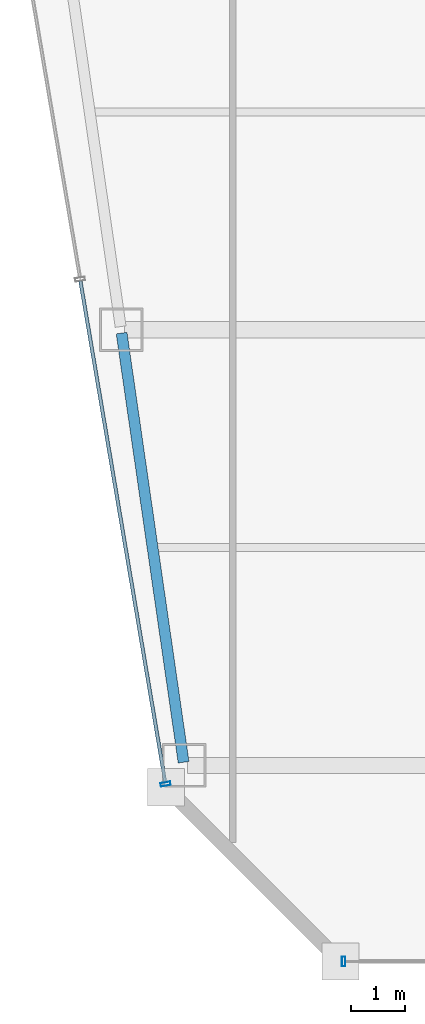
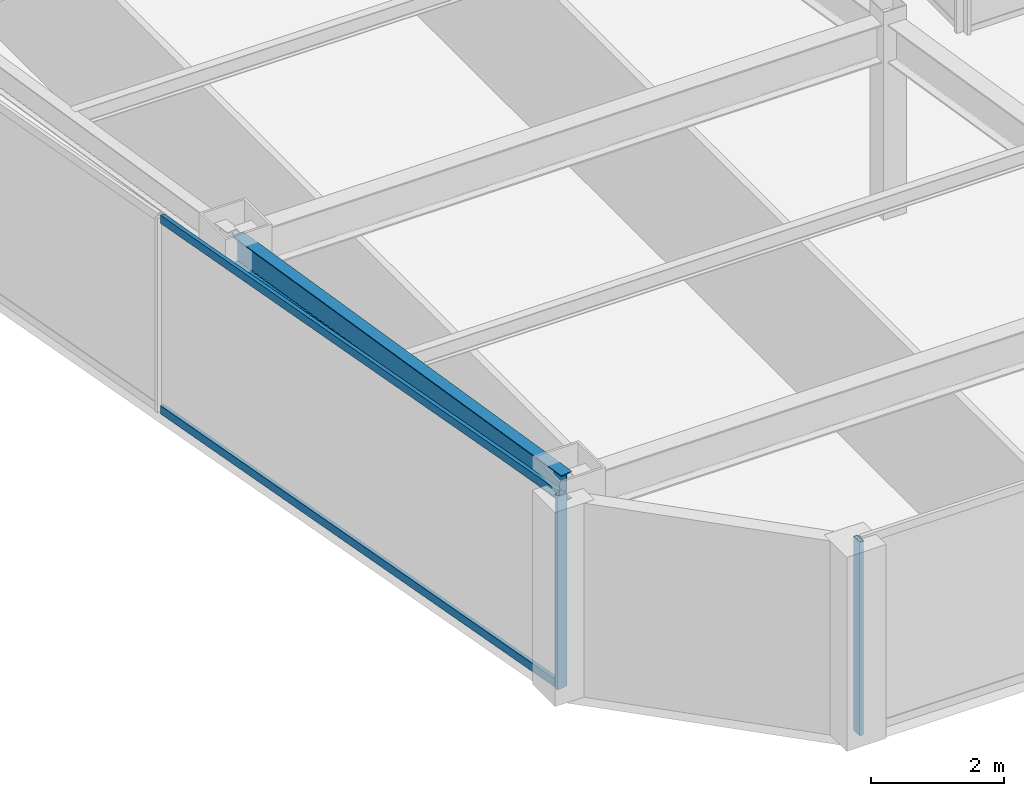
# One storey, part 3 of 36: 4 members, 1 beam, 2 elements without a shape of their own.
"""IFC4 building model written with IfcOpenShell, lengths in metres."""

from ifc_helpers import new_model, si_unit, direction, frame, origin, origin_2d, place, context, subcontext, project, spatial, hollow_rectangle, i_section, extrude, material, material_profile, profile_set, type_object, element, aggregate, save


model = new_model("IFC4")

# Units and contexts
model_context = context("Model", 3, precision=1e-05, world=origin(), true_north=direction((0.0, 1.0)))
body_context = subcontext(model_context, "Body", "Model", "MODEL_VIEW")
ifc_project = project(units=[si_unit("LENGTHUNIT", "METRE"), si_unit("AREAUNIT", "SQUARE_METRE"), si_unit("VOLUMEUNIT", "CUBIC_METRE"), si_unit("PLANEANGLEUNIT", "RADIAN"), si_unit("MASSUNIT", "GRAM", prefix="KILO")], contexts=[model_context])

# Site, building, storey
site_placement = place(None, origin())
site = spatial("IfcSite", under=ifc_project, at=site_placement, CompositionType="ELEMENT")
building_placement = place(site_placement, origin())
building = spatial("IfcBuilding", under=site, at=building_placement, Name="Saevonmaru Cultural Tower", CompositionType="ELEMENT")
storey_placement = place(building_placement, frame((0.0, 0.0, 205.60009765625)))
storey = spatial("IfcBuildingStorey", under=building, at=storey_placement, Name="L47", CompositionType="ELEMENT", Elevation=205.60009765625)

# Beam
ifc_material_1 = material(Name="Steel SM355", Category="steel")
ifc_material_profile_1 = material_profile(ifc_material_1, i_section(OverallWidth=0.199951171875, OverallDepth=0.5, WebThickness=0.010009765625, FlangeThickness=0.01611328125, FilletRadius=0.02001953125, at=origin_2d()), Name="H-500x200x10x16")
ifc_profile_set_1 = profile_set([ifc_material_profile_1], Name="Steel SM355")
beam_type = type_object("IfcBeamType", Name="BM-SP-H500", PredefinedType="SPANDREL", material=ifc_profile_set_1)
beam_placement = place(storey_placement, frame((10.619384765625, 16.059326171875, 3.2998046875), z_axis=(-0.142992129437, 0.989723825579, 0.0), x_axis=(-0.989723825579, -0.142992129437, 0.0)))
element("IfcBeam", 1, at=beam_placement, inside=storey, type_object=beam_type, Name="L47 West Splayed Spandrel 1", PredefinedType="SPANDREL", context=body_context, shape_type="SweptSolid", body=[
    extrude(i_section(OverallWidth=0.199951171875, OverallDepth=0.5, WebThickness=0.010009765625, FlangeThickness=0.01611328125, FilletRadius=0.02001953125, at=origin_2d()), origin(), (0.0, 0.0, 1.0), 7.963134765625),
])

# Curtain wall, member
ifc_material_2 = material(Name="Satin Bronze Anodised Aluminium", Category="aluminium")
curtain_wall_type = type_object("IfcCurtainWallType", Name="CW-TYP-B", PredefinedType="NOTDEFINED", material=ifc_material_2)
curtain_wall_1_placement = place(storey_placement, origin())
curtain_wall_1 = element("IfcCurtainWall", 2, at=curtain_wall_1_placement, inside=storey, type_object=curtain_wall_type, Name="L47 Unitised Curtain Wall E2", PredefinedType="NOTDEFINED")
ifc_material_profile_2 = material_profile(ifc_material_2, hollow_rectangle(XDim=0.06494140625, YDim=0.179931640625, WallThickness=0.00390625, at=origin_2d()), Name="ALU-MULL-180x65x4")
ifc_profile_set_2 = profile_set([ifc_material_profile_2], Name="Satin Bronze Anodised Aluminium")
member_type_1 = type_object("IfcMemberType", Name="ML-CW-180x65", PredefinedType="MULLION", material=ifc_profile_set_2)
member_1_placement = place(storey_placement, frame((13.557861328125, 12.39990234375, 0.0), z_axis=(0.0, 0.0, 1.0), x_axis=(1.0, 0.0, 0.0)))
member_1 = element("IfcMember", 3, at=member_1_placement, type_object=member_type_1, Name="CW-TW-L47-E2 mullion 1", PredefinedType="MULLION", context=body_context, shape_type="SweptSolid", body=[
    extrude(hollow_rectangle(XDim=0.06494140625, YDim=0.179931640625, WallThickness=0.00390625, at=origin_2d()), origin(), (0.0, 0.0, 1.0), 3.5498046875),
])
aggregate(curtain_wall_1, [member_1])

# Curtain wall, members
curtain_wall_2_placement = place(storey_placement, origin())
curtain_wall_2 = element("IfcCurtainWall", 4, at=curtain_wall_2_placement, inside=storey, type_object=curtain_wall_type, Name="L47 Unitised Curtain Wall E12", PredefinedType="NOTDEFINED")
member_2_placement = place(storey_placement, frame((10.287841796875, 15.6591796875, 0.0), z_axis=(0.0, 0.0, 1.0), x_axis=(0.16692169721, -0.985970155228, 0.0)))
member_2 = element("IfcMember", 5, at=member_2_placement, type_object=member_type_1, Name="CW-TW-L47-E12 mullion 5", PredefinedType="MULLION", context=body_context, shape_type="SweptSolid", body=[
    extrude(hollow_rectangle(XDim=0.06494140625, YDim=0.179931640625, WallThickness=0.00390625, at=origin_2d()), origin(), (0.0, 0.0, 1.0), 3.5498046875),
])
ifc_material_profile_3 = material_profile(ifc_material_2, hollow_rectangle(XDim=0.06494140625, YDim=0.14990234375, WallThickness=0.00390625, at=origin_2d()), Name="ALU-TRAN-150x65x4")
ifc_profile_set_3 = profile_set([ifc_material_profile_3], Name="Satin Bronze Anodised Aluminium")
member_type_2 = type_object("IfcMemberType", Name="TR-CW-150x65", PredefinedType="USERDEFINED", material=ifc_profile_set_3)
member_3_placement = place(storey_placement, frame((8.723876953125, 24.8974609375, 0.032470703125), z_axis=(0.166921263871, -0.985970228591, 0.0), x_axis=(0.985970228591, 0.166921263871, 0.0)))
member_3 = element("IfcMember", 6, at=member_3_placement, type_object=member_type_2, Name="CW-TW-L47-E12 transom 4.1", ObjectType="TRANSOM", PredefinedType="USERDEFINED", context=body_context, shape_type="SweptSolid", body=[
    extrude(hollow_rectangle(XDim=0.06494140625, YDim=0.14990234375, WallThickness=0.00390625, at=origin_2d()), origin(), (0.0, 0.0, 1.0), 9.33740234375),
])
member_4_placement = place(storey_placement, frame((8.723876953125, 24.8974609375, 3.517333984375), z_axis=(0.166921263871, -0.985970228591, 0.0), x_axis=(0.985970228591, 0.166921263871, 0.0)))
member_4 = element("IfcMember", 7, at=member_4_placement, type_object=member_type_2, Name="CW-TW-L47-E12 transom 4.2", ObjectType="TRANSOM", PredefinedType="USERDEFINED", context=body_context, shape_type="SweptSolid", body=[
    extrude(hollow_rectangle(XDim=0.06494140625, YDim=0.14990234375, WallThickness=0.00390625, at=origin_2d()), origin(), (0.0, 0.0, 1.0), 9.33740234375),
])
aggregate(curtain_wall_2, [member_2, member_3, member_4])

save(model, "model.ifc")
